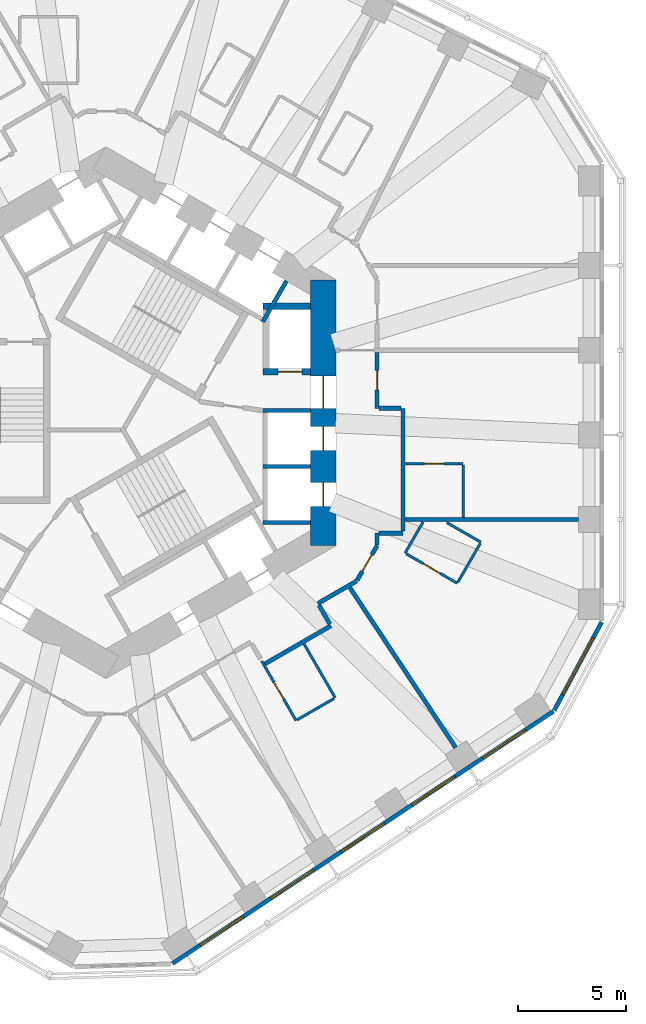
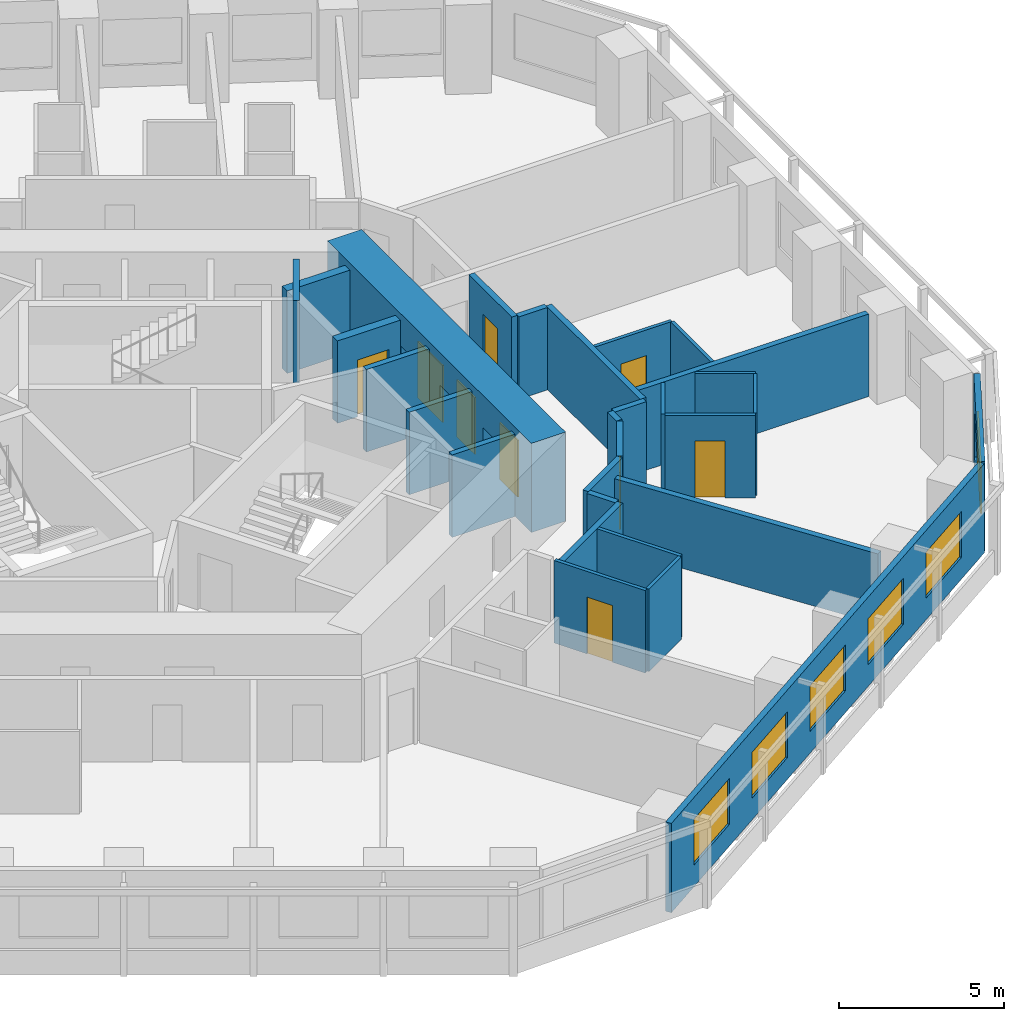
# One storey, part 6 of 12: 29 walls, 9 doors, 6 windows, 15 openings.
"""IFC4 building model written with IfcOpenShell, lengths in metres."""

from ifc_helpers import new_model, si_unit, direction, frame, frame_2d, origin, place, context, subcontext, project, spatial, rectangle, extrude, material, layer, layer_set, type_object, element, fill, save


model = new_model("IFC4")

# Units and contexts
model_context = context("Model", 3, precision=1e-05, world=origin(), true_north=direction((0.0, 1.0)))
body_context = subcontext(model_context, "Body", "Model", "MODEL_VIEW")
ifc_project = project(units=[si_unit("LENGTHUNIT", "METRE"), si_unit("AREAUNIT", "SQUARE_METRE"), si_unit("VOLUMEUNIT", "CUBIC_METRE"), si_unit("PLANEANGLEUNIT", "RADIAN"), si_unit("MASSUNIT", "GRAM", prefix="KILO")], contexts=[model_context])

# Site, building, storey
site_placement = place(None, origin())
site = spatial("IfcSite", under=ifc_project, at=site_placement, CompositionType="ELEMENT")
building_placement = place(site_placement, origin())
building = spatial("IfcBuilding", under=site, at=building_placement, Name="Vanh Sen Convention Tower", CompositionType="ELEMENT")
storey_placement = place(building_placement, frame((0.0, 0.0, 67.10009765625)))
storey = spatial("IfcBuildingStorey", under=building, at=storey_placement, Name="L14", CompositionType="ELEMENT", Elevation=67.10009765625)

# Wall, opening, door
ifc_material_1 = material(Name="Moisture-resistant gypsum board on steel studs", Category="steel")
ifc_layer_1 = layer(ifc_material_1, 0.1201171875)
ifc_layer_set_1 = layer_set([ifc_layer_1], Name="Moisture-resistant gypsum board on steel studs")
wall_type_1 = type_object("IfcWallType", Name="Bathroom partition 120", PredefinedType="PARTITIONING", material=ifc_layer_set_1)
wall_1_placement = place(storey_placement, frame((8.83251953125, -14.300537109375, 0.0), z_axis=(0.0, 0.0, 1.0), x_axis=(-0.499936836718, 0.866061868051, 0.0)))
wall_1 = element("IfcWall", 1, at=wall_1_placement, inside=storey, type_object=wall_type_1, Name="Bathroom partition 120", PredefinedType="PARTITIONING", context=body_context, shape_type="SweptSolid", body=[
    extrude(rectangle(XDim=3.1875, YDim=0.1201171875, at=frame_2d((1.59375, 0.0))), origin(), (0.0, 0.0, 1.0), 3.0498046875),
])
opening_1_placement = place(wall_1_placement, frame((1.143798828125, 0.0, 0.0)))
opening_1 = element("IfcOpeningElement", 2, at=opening_1_placement, cuts=wall_1, Name="Opening D13131", PredefinedType="OPENING", context=body_context, shape_type="SweptSolid", body=[
    extrude(rectangle(XDim=0.89990234375, YDim=2.10009765625, at=frame_2d((0.449951171875, 1.050048828125))), frame((0.0, 0.070068359375, 0.0), z_axis=(0.0, -1.0, 0.0), x_axis=(1.0, 0.0, 0.0)), (0.0, 0.0, 1.0), 0.14013671875),
])
ifc_material_2 = material(Name="Laminate door in steel frame", Category="steel")
door_type_1 = type_object("IfcDoorType", Name="En-suite door 900", OperationType="SINGLE_SWING_LEFT", PredefinedType="DOOR", material=ifc_material_2)
door_1_placement = place(opening_1_placement, origin())
door_1 = element("IfcDoor", 3, at=door_1_placement, inside=storey, type_object=door_type_1, Name="En-suite door D13131", OperationType="SINGLE_SWING_LEFT", OverallHeight=2.10009765625, OverallWidth=0.89990234375, PredefinedType="DOOR", context=body_context, shape_type="SweptSolid", body=[
    extrude(rectangle(XDim=0.89990234375, YDim=2.10009765625, at=frame_2d((0.449951171875, 1.050048828125))), frame((0.0, 0.02490234375, 0.0), z_axis=(0.0, -1.0, 0.0), x_axis=(1.0, 0.0, 0.0)), (0.0, 0.0, 1.0), 0.050048828125),
])
fill(opening_1, door_1)

# Walls
wall_2_placement = place(storey_placement, frame((9.202880859375, -10.738037109375, 0.0), z_axis=(0.0, 0.0, 1.0), x_axis=(0.50005036918, -0.865996321171, 0.0)))
element("IfcWall", 4, at=wall_2_placement, inside=storey, type_object=wall_type_1, Name="Bathroom partition 120", PredefinedType="PARTITIONING", context=body_context, shape_type="SweptSolid", body=[
    extrude(rectangle(XDim=2.900146484375, YDim=0.1201171875, at=frame_2d((1.4501953125, 0.0))), origin(), (0.0, 0.0, 1.0), 3.0498046875),
])
wall_3_placement = place(storey_placement, frame((10.60107421875, -13.279541015625, 0.0), z_axis=(0.0, 0.0, 1.0), x_axis=(-0.866044057189, -0.499967689963, 0.0)))
element("IfcWall", 5, at=wall_3_placement, inside=storey, type_object=wall_type_1, Name="Bathroom partition 120", PredefinedType="PARTITIONING", context=body_context, shape_type="SweptSolid", body=[
    extrude(rectangle(XDim=1.982177734375, YDim=0.1201171875, at=frame_2d((0.9912109375, 0.0))), origin(), (0.0, 0.0, 1.0), 3.0498046875),
])
wall_4_placement = place(storey_placement, frame((13.90087890625, -6.5244140625, 0.0), z_axis=(0.0, 0.0, 1.0), x_axis=(0.499964162598, 0.86604609353, 0.0)))
element("IfcWall", 6, at=wall_4_placement, inside=storey, type_object=wall_type_1, Name="Bathroom partition 120", PredefinedType="PARTITIONING", context=body_context, shape_type="SweptSolid", body=[
    extrude(rectangle(XDim=1.6611328125, YDim=0.1201171875, at=frame_2d((0.83056640625, 0.0))), origin(), (0.0, 0.0, 1.0), 3.0498046875),
])

# Wall, opening, door
wall_5_placement = place(storey_placement, frame((13.90087890625, -2.364501953125, 0.0), z_axis=(0.0, 0.0, 1.0), x_axis=(1.0, 0.0, 0.0)))
wall_5 = element("IfcWall", 7, at=wall_5_placement, inside=storey, type_object=wall_type_1, Name="Bathroom partition 120", PredefinedType="PARTITIONING", context=body_context, shape_type="SweptSolid", body=[
    extrude(rectangle(XDim=2.7001953125, YDim=0.1201171875, at=frame_2d((1.35009765625, 0.0))), origin(), (0.0, 0.0, 1.0), 3.0498046875),
])
opening_2_placement = place(wall_5_placement, frame((0.89990234375, 0.0, 0.0)))
opening_2 = element("IfcOpeningElement", 8, at=opening_2_placement, cuts=wall_5, Name="Opening D13102", PredefinedType="OPENING", context=body_context, shape_type="SweptSolid", body=[
    extrude(rectangle(XDim=0.89990234375, YDim=2.10009765625, at=frame_2d((0.449951171875, 1.050048828125))), frame((0.0, 0.070068359375, 0.0), z_axis=(0.0, -1.0, 0.0), x_axis=(1.0, 0.0, 0.0)), (0.0, 0.0, 1.0), 0.14013671875),
])
door_2_placement = place(opening_2_placement, origin())
door_2 = element("IfcDoor", 9, at=door_2_placement, inside=storey, type_object=door_type_1, Name="En-suite door D13102", OperationType="SINGLE_SWING_LEFT", OverallHeight=2.10009765625, OverallWidth=0.89990234375, PredefinedType="DOOR", context=body_context, shape_type="SweptSolid", body=[
    extrude(rectangle(XDim=0.89990234375, YDim=2.10009765625, at=frame_2d((0.449951171875, 1.050048828125))), frame((0.0, 0.02490234375, 0.0), z_axis=(0.0, -1.0, 0.0), x_axis=(1.0, 0.0, 0.0)), (0.0, 0.0, 1.0), 0.050048828125),
])
fill(opening_2, door_2)

# Wall
wall_6_placement = place(storey_placement, frame((15.84130859375, -5.1044921875, 0.0), z_axis=(0.0, 0.0, 1.0), x_axis=(0.866025591402, -0.499999675036, 0.0)))
element("IfcWall", 10, at=wall_6_placement, inside=storey, type_object=wall_type_1, Name="Bathroom partition 120", PredefinedType="PARTITIONING", context=body_context, shape_type="SweptSolid", body=[
    extrude(rectangle(XDim=1.82958984375, YDim=0.1201171875, at=frame_2d((0.914794921875, 0.0))), origin(), (0.0, 0.0, 1.0), 3.0498046875),
])

# Wall, opening, door
wall_7_placement = place(storey_placement, frame((16.32568359375, -7.924560546875, 0.0), z_axis=(0.0, 0.0, 1.0), x_axis=(-0.865997131366, 0.500048966069, 0.0)))
wall_7 = element("IfcWall", 11, at=wall_7_placement, inside=storey, type_object=wall_type_1, Name="Bathroom partition 120", PredefinedType="PARTITIONING", context=body_context, shape_type="SweptSolid", body=[
    extrude(rectangle(XDim=2.739990234375, YDim=0.1201171875, at=frame_2d((1.3701171875, 0.0))), origin(), (0.0, 0.0, 1.0), 3.0498046875),
])
opening_3_placement = place(wall_7_placement, frame((0.919921875, 0.0, 0.0)))
opening_3 = element("IfcOpeningElement", 12, at=opening_3_placement, cuts=wall_7, Name="Opening D13133", PredefinedType="OPENING", context=body_context, shape_type="SweptSolid", body=[
    extrude(rectangle(XDim=0.89990234375, YDim=2.10009765625, at=frame_2d((0.449951171875, 1.050048828125))), frame((0.0, 0.070068359375, 0.0), z_axis=(0.0, -1.0, 0.0), x_axis=(1.0, 0.0, 0.0)), (0.0, 0.0, 1.0), 0.14013671875),
])
door_3_placement = place(opening_3_placement, origin())
door_3 = element("IfcDoor", 13, at=door_3_placement, inside=storey, type_object=door_type_1, Name="En-suite door D13133", OperationType="SINGLE_SWING_LEFT", OverallHeight=2.10009765625, OverallWidth=0.89990234375, PredefinedType="DOOR", context=body_context, shape_type="SweptSolid", body=[
    extrude(rectangle(XDim=0.89990234375, YDim=2.10009765625, at=frame_2d((0.449951171875, 1.050048828125))), frame((0.0, 0.02490234375, 0.0), z_axis=(0.0, -1.0, 0.0), x_axis=(1.0, 0.0, 0.0)), (0.0, 0.0, 1.0), 0.050048828125),
])
fill(opening_3, door_3)

# Walls
wall_8_placement = place(storey_placement, frame((16.60107421875, -2.424560546875, 0.0), z_axis=(0.0, 0.0, 1.0), x_axis=(0.0, -1.0, 0.0)))
element("IfcWall", 14, at=wall_8_placement, inside=storey, type_object=wall_type_1, Name="Bathroom partition 120", PredefinedType="PARTITIONING", context=body_context, shape_type="SweptSolid", body=[
    extrude(rectangle(XDim=2.43994140625, YDim=0.1201171875, at=frame_2d((1.219970703125, 0.0))), origin(), (0.0, 0.0, 1.0), 3.0498046875),
])
wall_9_placement = place(storey_placement, frame((17.395751953125, -6.0712890625, 0.0), z_axis=(0.0, 0.0, 1.0), x_axis=(-0.500027264788, -0.866009661879, 0.0)))
element("IfcWall", 15, at=wall_9_placement, inside=storey, type_object=wall_type_1, Name="Bathroom partition 120", PredefinedType="PARTITIONING", context=body_context, shape_type="SweptSolid", body=[
    extrude(rectangle(XDim=2.080078125, YDim=0.1201171875, at=frame_2d((1.0400390625, 0.0))), origin(), (0.0, 0.0, 1.0), 3.0498046875),
])

# Wall, openings, doors
ifc_material_3 = material(Name="Concrete C80/95", Category="concrete")
ifc_layer_2 = layer(ifc_material_3, 1.199951171875)
ifc_layer_set_2 = layer_set([ifc_layer_2], Name="Concrete C80/95")
wall_type_2 = type_object("IfcWallType", Name="Core outer wall 1200 C80/95", PredefinedType="SHEAR", material=ifc_layer_set_2)
wall_10_placement = place(storey_placement, frame((10.10009765625, -6.177490234375, 0.0), z_axis=(0.0, 0.0, 1.0), x_axis=(0.0, 1.0, 0.0)))
wall_10 = element("IfcWall", 16, at=wall_10_placement, inside=storey, type_object=wall_type_2, Name="Core wall face E L14", PredefinedType="SHEAR", context=body_context, shape_type="SweptSolid", body=[
    extrude(rectangle(XDim=12.35498046875, YDim=1.199951171875, at=frame_2d((6.177490234375, 0.0))), origin(), (0.0, 0.0, 1.0), 3.2998046875),
])
opening_4_placement = place(wall_10_placement, frame((6.377685546875, 0.0, 0.0)))
opening_4 = element("IfcOpeningElement", 17, at=opening_4_placement, cuts=wall_10, Name="Opening D13001", PredefinedType="OPENING", context=body_context, shape_type="SweptSolid", body=[
    extrude(rectangle(XDim=1.5, YDim=2.10009765625, at=frame_2d((0.75, 1.050048828125))), frame((0.0, 0.60986328125, 0.0), z_axis=(0.0, -1.0, 0.0), x_axis=(1.0, 0.0, 0.0)), (0.0, 0.0, 1.0), 1.219970703125),
])
opening_5_placement = place(wall_10_placement, frame((1.82763671875, 0.0, 0.0)))
opening_5 = element("IfcOpeningElement", 18, at=opening_5_placement, cuts=wall_10, Name="Opening LD-LR1", PredefinedType="OPENING", context=body_context, shape_type="SweptSolid", body=[
    extrude(rectangle(XDim=1.10009765625, YDim=2.10009765625, at=frame_2d((0.550048828125, 1.050048828125))), frame((0.0, 0.60986328125, 0.0), z_axis=(0.0, -1.0, 0.0), x_axis=(1.0, 0.0, 0.0)), (0.0, 0.0, 1.0), 1.219970703125),
])
opening_6_placement = place(wall_10_placement, frame((4.427490234375, 0.0, 0.0)))
opening_6 = element("IfcOpeningElement", 19, at=opening_6_placement, cuts=wall_10, Name="Opening LD-LR2", PredefinedType="OPENING", context=body_context, shape_type="SweptSolid", body=[
    extrude(rectangle(XDim=1.10009765625, YDim=2.10009765625, at=frame_2d((0.550048828125, 1.050048828125))), frame((0.0, 0.60986328125, 0.0), z_axis=(0.0, -1.0, 0.0), x_axis=(1.0, 0.0, 0.0)), (0.0, 0.0, 1.0), 1.219970703125),
])
ifc_material_4 = material(Name="Stainless steel", Category="steel")
door_type_2 = type_object("IfcDoorType", Name="Lift landing door 1100", OperationType="DOUBLE_DOOR_SLIDING", PredefinedType="DOOR", material=ifc_material_4)
door_4_placement = place(opening_5_placement, origin())
door_4 = element("IfcDoor", 20, at=door_4_placement, inside=storey, type_object=door_type_2, Name="Lift LR1 landing door LD-LR1", OperationType="DOUBLE_DOOR_SLIDING", OverallHeight=2.10009765625, OverallWidth=1.10009765625, PredefinedType="DOOR", context=body_context, shape_type="SweptSolid", body=[
    extrude(rectangle(XDim=1.10009765625, YDim=2.10009765625, at=frame_2d((0.550048828125, 1.050048828125))), frame((0.0, 0.02490234375, 0.0), z_axis=(0.0, -1.0, 0.0), x_axis=(1.0, 0.0, 0.0)), (0.0, 0.0, 1.0), 0.050048828125),
])
fill(opening_5, door_4)
door_5_placement = place(opening_6_placement, origin())
door_5 = element("IfcDoor", 21, at=door_5_placement, inside=storey, type_object=door_type_2, Name="Lift LR2 landing door LD-LR2", OperationType="DOUBLE_DOOR_SLIDING", OverallHeight=2.10009765625, OverallWidth=1.10009765625, PredefinedType="DOOR", context=body_context, shape_type="SweptSolid", body=[
    extrude(rectangle(XDim=1.10009765625, YDim=2.10009765625, at=frame_2d((0.550048828125, 1.050048828125))), frame((0.0, 0.02490234375, 0.0), z_axis=(0.0, -1.0, 0.0), x_axis=(1.0, 0.0, 0.0)), (0.0, 0.0, 1.0), 0.050048828125),
])
fill(opening_6, door_5)
ifc_material_5 = material(Name="Steel S355", Category="steel")
door_type_3 = type_object("IfcDoorType", Name="Stair lobby door 1500", OperationType="DOUBLE_DOOR_SINGLE_SWING", PredefinedType="DOOR", material=ifc_material_5)
door_6_placement = place(opening_4_placement, origin())
door_6 = element("IfcDoor", 22, at=door_6_placement, inside=storey, type_object=door_type_3, Name="Stair lobby door D13001", OperationType="DOUBLE_DOOR_SINGLE_SWING", OverallHeight=2.10009765625, OverallWidth=1.5, PredefinedType="DOOR", context=body_context, shape_type="SweptSolid", body=[
    extrude(rectangle(XDim=1.5, YDim=2.10009765625, at=frame_2d((0.75, 1.050048828125))), frame((0.0, 0.02490234375, 0.0), z_axis=(0.0, -1.0, 0.0), x_axis=(1.0, 0.0, 0.0)), (0.0, 0.0, 1.0), 0.050048828125),
])
fill(opening_4, door_6)

# Walls
ifc_material_6 = material(Name="Gypsum board on steel studs with mineral wool", Category="steel")
ifc_layer_3 = layer(ifc_material_6, 0.199951171875)
ifc_layer_set_3 = layer_set([ifc_layer_3], Name="Gypsum board on steel studs with mineral wool")
wall_type_3 = type_object("IfcWallType", Name="Corridor partition wall 200", PredefinedType="PARTITIONING", material=ifc_layer_set_3)
wall_11_placement = place(storey_placement, frame((7.384521484375, -11.672607421875, 0.0), z_axis=(0.0, 0.0, 1.0), x_axis=(0.866037524642, 0.499979005472, 0.0)))
element("IfcWall", 23, at=wall_11_placement, inside=storey, type_object=wall_type_3, Name="Corridor partition wall 200", PredefinedType="PARTITIONING", context=body_context, shape_type="SweptSolid", body=[
    extrude(rectangle(XDim=3.542236328125, YDim=0.199951171875, at=frame_2d((1.77099609375, 0.0))), origin(), (0.0, 0.0, 1.0), 3.0498046875),
])
wall_12_placement = place(storey_placement, frame((9.8515625, -8.861328125, 0.0), z_axis=(0.0, 0.0, 1.0), x_axis=(0.866013291437, 0.500020978615, 0.0)))
element("IfcWall", 24, at=wall_12_placement, inside=storey, type_object=wall_type_3, Name="Corridor partition wall 200", PredefinedType="PARTITIONING", context=body_context, shape_type="SweptSolid", body=[
    extrude(rectangle(XDim=2.07666015625, YDim=0.199951171875, at=frame_2d((1.038330078125, 0.0))), origin(), (0.0, 0.0, 1.0), 3.0498046875),
])
wall_13_placement = place(storey_placement, frame((10.402099609375, -9.81494140625, 0.0), z_axis=(0.0, 0.0, 1.0), x_axis=(-0.499968756647, 0.866043441391, 0.0)))
element("IfcWall", 25, at=wall_13_placement, inside=storey, type_object=wall_type_3, Name="Corridor partition wall 200", PredefinedType="PARTITIONING", context=body_context, shape_type="SweptSolid", body=[
    extrude(rectangle(XDim=1.0009765625, YDim=0.199951171875, at=frame_2d((0.50048828125, 0.0))), origin(), (0.0, 0.0, 1.0), 3.0498046875),
])

# Wall, opening, door
wall_14_placement = place(storey_placement, frame((11.669921875, -7.788330078125, 0.0), z_axis=(0.0, 0.0, 1.0), x_axis=(0.500063286585, 0.865988862174, 0.0)))
wall_14 = element("IfcWall", 26, at=wall_14_placement, inside=storey, type_object=wall_type_3, Name="Corridor partition wall 200", PredefinedType="PARTITIONING", context=body_context, shape_type="SweptSolid", body=[
    extrude(rectangle(XDim=1.860107421875, YDim=0.199951171875, at=frame_2d((0.93017578125, 0.0))), origin(), (0.0, 0.0, 1.0), 3.0498046875),
])
opening_7_placement = place(wall_14_placement, frame((0.47998046875, 0.0, 0.0)))
opening_7 = element("IfcOpeningElement", 27, at=opening_7_placement, cuts=wall_14, Name="Opening D13132", PredefinedType="OPENING", context=body_context, shape_type="SweptSolid", body=[
    extrude(rectangle(XDim=0.89990234375, YDim=2.10009765625, at=frame_2d((0.449951171875, 1.050048828125))), frame((0.0, 0.10986328125, 0.0), z_axis=(0.0, -1.0, 0.0), x_axis=(1.0, 0.0, 0.0)), (0.0, 0.0, 1.0), 0.219970703125),
])
ifc_material_7 = material(Name="Timber fire door in steel frame", Category="steel")
door_type_4 = type_object("IfcDoorType", Name="Guest room door 900", OperationType="SINGLE_SWING_LEFT", PredefinedType="DOOR", material=ifc_material_7)
door_7_placement = place(opening_7_placement, origin())
door_7 = element("IfcDoor", 28, at=door_7_placement, inside=storey, type_object=door_type_4, Name="Hotel guest room door D13132", OperationType="SINGLE_SWING_LEFT", OverallHeight=2.10009765625, OverallWidth=0.89990234375, PredefinedType="DOOR", context=body_context, shape_type="SweptSolid", body=[
    extrude(rectangle(XDim=0.89990234375, YDim=2.10009765625, at=frame_2d((0.449951171875, 1.050048828125))), frame((0.0, 0.02490234375, 0.0), z_axis=(0.0, -1.0, 0.0), x_axis=(1.0, 0.0, 0.0)), (0.0, 0.0, 1.0), 0.050048828125),
])
fill(opening_7, door_7)

# Wall
wall_15_placement = place(storey_placement, frame((12.60009765625, -6.1376953125, 0.0), z_axis=(0.0, 0.0, 1.0), x_axis=(0.0, 1.0, 0.0)))
element("IfcWall", 29, at=wall_15_placement, inside=storey, type_object=wall_type_3, Name="Corridor partition wall 200", PredefinedType="PARTITIONING", context=body_context, shape_type="SweptSolid", body=[
    extrude(rectangle(XDim=0.53662109375, YDim=0.199951171875, at=frame_2d((0.268310546875, 0.0))), origin(), (0.0, 0.0, 1.0), 3.0498046875),
])

# Wall, opening, door
wall_16_placement = place(storey_placement, frame((12.60009765625, 0.200927734375, 0.0), z_axis=(0.0, 0.0, 1.0), x_axis=(0.0, 1.0, 0.0)))
wall_16 = element("IfcWall", 30, at=wall_16_placement, inside=storey, type_object=wall_type_3, Name="Corridor partition wall 200", PredefinedType="PARTITIONING", context=body_context, shape_type="SweptSolid", body=[
    extrude(rectangle(XDim=2.603515625, YDim=0.199951171875, at=frame_2d((1.3017578125, 0.0))), origin(), (0.0, 0.0, 1.0), 3.0498046875),
])
opening_8_placement = place(wall_16_placement, frame((0.851806640625, 0.0, 0.0)))
opening_8 = element("IfcOpeningElement", 31, at=opening_8_placement, cuts=wall_16, Name="Opening D13101", PredefinedType="OPENING", context=body_context, shape_type="SweptSolid", body=[
    extrude(rectangle(XDim=0.89990234375, YDim=2.10009765625, at=frame_2d((0.449951171875, 1.050048828125))), frame((0.0, 0.10986328125, 0.0), z_axis=(0.0, -1.0, 0.0), x_axis=(1.0, 0.0, 0.0)), (0.0, 0.0, 1.0), 0.219970703125),
])
door_8_placement = place(opening_8_placement, origin())
door_8 = element("IfcDoor", 32, at=door_8_placement, inside=storey, type_object=door_type_4, Name="Hotel guest room door D13101", OperationType="SINGLE_SWING_LEFT", OverallHeight=2.10009765625, OverallWidth=0.89990234375, PredefinedType="DOOR", context=body_context, shape_type="SweptSolid", body=[
    extrude(rectangle(XDim=0.89990234375, YDim=2.10009765625, at=frame_2d((0.449951171875, 1.050048828125))), frame((0.0, 0.02490234375, 0.0), z_axis=(0.0, -1.0, 0.0), x_axis=(1.0, 0.0, 0.0)), (0.0, 0.0, 1.0), 0.050048828125),
])
fill(opening_8, door_8)

# Walls
wall_17_placement = place(storey_placement, frame((12.699951171875, -5.60107421875, 0.0), z_axis=(0.0, 0.0, 1.0), x_axis=(1.0, 0.0, 0.0)))
element("IfcWall", 33, at=wall_17_placement, inside=storey, type_object=wall_type_3, Name="Corridor partition wall 200", PredefinedType="PARTITIONING", context=body_context, shape_type="SweptSolid", body=[
    extrude(rectangle(XDim=1.10107421875, YDim=0.199951171875, at=frame_2d((0.550537109375, 0.0))), origin(), (0.0, 0.0, 1.0), 3.0498046875),
])
wall_18_placement = place(storey_placement, frame((13.700927734375, 0.200927734375, 0.0), z_axis=(0.0, 0.0, 1.0), x_axis=(-1.0, 0.0, 0.0)))
element("IfcWall", 34, at=wall_18_placement, inside=storey, type_object=wall_type_3, Name="Corridor partition wall 200", PredefinedType="PARTITIONING", context=body_context, shape_type="SweptSolid", body=[
    extrude(rectangle(XDim=1.0009765625, YDim=0.199951171875, at=frame_2d((0.50048828125, 0.0))), origin(), (0.0, 0.0, 1.0), 3.0498046875),
])
wall_19_placement = place(storey_placement, frame((13.801025390625, -5.5009765625, 0.0), z_axis=(0.0, 0.0, 1.0), x_axis=(0.0, 1.0, 0.0)))
element("IfcWall", 35, at=wall_19_placement, inside=storey, type_object=wall_type_3, Name="Corridor partition wall 200", PredefinedType="PARTITIONING", context=body_context, shape_type="SweptSolid", body=[
    extrude(rectangle(XDim=5.701904296875, YDim=0.199951171875, at=frame_2d((2.85107421875, 0.0))), origin(), (0.0, 0.0, 1.0), 3.0498046875),
])

# Wall, openings, windows
ifc_material_8 = material(Name="Insulated lightweight infill wall")
ifc_layer_4 = layer(ifc_material_8, 0.199951171875)
ifc_layer_set_4 = layer_set([ifc_layer_4], Name="Insulated lightweight infill wall")
wall_type_4 = type_object("IfcWallType", Name="External wall 200", PredefinedType="STANDARD", material=ifc_layer_set_4)
wall_20_placement = place(storey_placement, frame((3.0830078125, -25.60107421875, 0.0), z_axis=(0.0, 0.0, 1.0), x_axis=(0.833884295743, 0.551939291329, 0.0)))
wall_20 = element("IfcWall", 36, at=wall_20_placement, inside=storey, type_object=wall_type_4, Name="External wall SE L14", PredefinedType="STANDARD", context=body_context, shape_type="SweptSolid", body=[
    extrude(rectangle(XDim=21.24609375, YDim=0.199951171875, at=frame_2d((10.623046875, 0.0))), origin(), (0.0, 0.0, 1.0), 3.2998046875),
])
opening_9_placement = place(wall_20_placement, frame((1.552978515625, 0.0, 0.800048828125)))
opening_9 = element("IfcOpeningElement", 37, at=opening_9_placement, cuts=wall_20, Name="Opening WH1-SE1", PredefinedType="OPENING", context=body_context, shape_type="SweptSolid", body=[
    extrude(rectangle(XDim=2.39990234375, YDim=1.699951171875, at=frame_2d((1.199951171875, 0.85009765625))), frame((0.0, 0.10986328125, 0.0), z_axis=(0.0, -1.0, 0.0), x_axis=(1.0, 0.0, 0.0)), (0.0, 0.0, 1.0), 0.219970703125),
])
opening_10_placement = place(wall_20_placement, frame((5.487548828125, 0.0, 0.800048828125)))
opening_10 = element("IfcOpeningElement", 38, at=opening_10_placement, cuts=wall_20, Name="Opening WH1-SE2", PredefinedType="OPENING", context=body_context, shape_type="SweptSolid", body=[
    extrude(rectangle(XDim=2.39990234375, YDim=1.699951171875, at=frame_2d((1.199951171875, 0.85009765625))), frame((0.0, 0.10986328125, 0.0), z_axis=(0.0, -1.0, 0.0), x_axis=(1.0, 0.0, 0.0)), (0.0, 0.0, 1.0), 0.219970703125),
])
opening_11_placement = place(wall_20_placement, frame((9.422119140625, 0.0, 0.800048828125)))
opening_11 = element("IfcOpeningElement", 39, at=opening_11_placement, cuts=wall_20, Name="Opening WH1-SE3", PredefinedType="OPENING", context=body_context, shape_type="SweptSolid", body=[
    extrude(rectangle(XDim=2.39990234375, YDim=1.699951171875, at=frame_2d((1.199951171875, 0.85009765625))), frame((0.0, 0.10986328125, 0.0), z_axis=(0.0, -1.0, 0.0), x_axis=(1.0, 0.0, 0.0)), (0.0, 0.0, 1.0), 0.219970703125),
])
opening_12_placement = place(wall_20_placement, frame((13.356689453125, 0.0, 0.800048828125)))
opening_12 = element("IfcOpeningElement", 40, at=opening_12_placement, cuts=wall_20, Name="Opening WH1-SE4", PredefinedType="OPENING", context=body_context, shape_type="SweptSolid", body=[
    extrude(rectangle(XDim=2.39990234375, YDim=1.699951171875, at=frame_2d((1.199951171875, 0.85009765625))), frame((0.0, 0.10986328125, 0.0), z_axis=(0.0, -1.0, 0.0), x_axis=(1.0, 0.0, 0.0)), (0.0, 0.0, 1.0), 0.219970703125),
])
opening_13_placement = place(wall_20_placement, frame((17.291259765625, 0.0, 0.800048828125)))
opening_13 = element("IfcOpeningElement", 41, at=opening_13_placement, cuts=wall_20, Name="Opening WH1-SE5", PredefinedType="OPENING", context=body_context, shape_type="SweptSolid", body=[
    extrude(rectangle(XDim=2.39990234375, YDim=1.699951171875, at=frame_2d((1.199951171875, 0.85009765625))), frame((0.0, 0.10986328125, 0.0), z_axis=(0.0, -1.0, 0.0), x_axis=(1.0, 0.0, 0.0)), (0.0, 0.0, 1.0), 0.219970703125),
])
ifc_material_9 = material(Name="Aluminium frame with clear low-emissivity glass", Category="aluminium")
window_type_1 = type_object("IfcWindowType", Name="Hotel window 2400 x 1700", PartitioningType="SINGLE_PANEL", PredefinedType="WINDOW", material=ifc_material_9)
window_1_placement = place(opening_9_placement, origin())
window_1 = element("IfcWindow", 42, at=window_1_placement, inside=storey, type_object=window_type_1, Name="Window WH1-SE1", OverallHeight=1.699951171875, OverallWidth=2.39990234375, PartitioningType="SINGLE_PANEL", PredefinedType="WINDOW", context=body_context, shape_type="SweptSolid", body=[
    extrude(rectangle(XDim=2.39990234375, YDim=1.699951171875, at=frame_2d((1.199951171875, 0.85009765625))), frame((0.0, 0.030029296875, 0.0), z_axis=(0.0, -1.0, 0.0), x_axis=(1.0, 0.0, 0.0)), (0.0, 0.0, 1.0), 0.06005859375),
])
fill(opening_9, window_1)
window_2_placement = place(opening_10_placement, origin())
window_2 = element("IfcWindow", 43, at=window_2_placement, inside=storey, type_object=window_type_1, Name="Window WH1-SE2", OverallHeight=1.699951171875, OverallWidth=2.39990234375, PartitioningType="SINGLE_PANEL", PredefinedType="WINDOW", context=body_context, shape_type="SweptSolid", body=[
    extrude(rectangle(XDim=2.39990234375, YDim=1.699951171875, at=frame_2d((1.199951171875, 0.85009765625))), frame((0.0, 0.030029296875, 0.0), z_axis=(0.0, -1.0, 0.0), x_axis=(1.0, 0.0, 0.0)), (0.0, 0.0, 1.0), 0.06005859375),
])
fill(opening_10, window_2)
window_3_placement = place(opening_11_placement, origin())
window_3 = element("IfcWindow", 44, at=window_3_placement, inside=storey, type_object=window_type_1, Name="Window WH1-SE3", OverallHeight=1.699951171875, OverallWidth=2.39990234375, PartitioningType="SINGLE_PANEL", PredefinedType="WINDOW", context=body_context, shape_type="SweptSolid", body=[
    extrude(rectangle(XDim=2.39990234375, YDim=1.699951171875, at=frame_2d((1.199951171875, 0.85009765625))), frame((0.0, 0.030029296875, 0.0), z_axis=(0.0, -1.0, 0.0), x_axis=(1.0, 0.0, 0.0)), (0.0, 0.0, 1.0), 0.06005859375),
])
fill(opening_11, window_3)
window_4_placement = place(opening_12_placement, origin())
window_4 = element("IfcWindow", 45, at=window_4_placement, inside=storey, type_object=window_type_1, Name="Window WH1-SE4", OverallHeight=1.699951171875, OverallWidth=2.39990234375, PartitioningType="SINGLE_PANEL", PredefinedType="WINDOW", context=body_context, shape_type="SweptSolid", body=[
    extrude(rectangle(XDim=2.39990234375, YDim=1.699951171875, at=frame_2d((1.199951171875, 0.85009765625))), frame((0.0, 0.030029296875, 0.0), z_axis=(0.0, -1.0, 0.0), x_axis=(1.0, 0.0, 0.0)), (0.0, 0.0, 1.0), 0.06005859375),
])
fill(opening_12, window_4)
window_5_placement = place(opening_13_placement, origin())
window_5 = element("IfcWindow", 46, at=window_5_placement, inside=storey, type_object=window_type_1, Name="Window WH1-SE5", OverallHeight=1.699951171875, OverallWidth=2.39990234375, PartitioningType="SINGLE_PANEL", PredefinedType="WINDOW", context=body_context, shape_type="SweptSolid", body=[
    extrude(rectangle(XDim=2.39990234375, YDim=1.699951171875, at=frame_2d((1.199951171875, 0.85009765625))), frame((0.0, 0.030029296875, 0.0), z_axis=(0.0, -1.0, 0.0), x_axis=(1.0, 0.0, 0.0)), (0.0, 0.0, 1.0), 0.06005859375),
])
fill(opening_13, window_5)

# Wall, opening, window
wall_21_placement = place(storey_placement, frame((20.83251953125, -13.838623046875, 0.0), z_axis=(0.0, 0.0, 1.0), x_axis=(0.473321668581, 0.880889662813, 0.0)))
wall_21 = element("IfcWall", 47, at=wall_21_placement, inside=storey, type_object=wall_type_4, Name="External wall CH6 L14", PredefinedType="STANDARD", context=body_context, shape_type="SweptSolid", body=[
    extrude(rectangle(XDim=4.65966796875, YDim=0.199951171875, at=frame_2d((2.329833984375, 0.0))), origin(), (0.0, 0.0, 1.0), 3.2998046875),
])
opening_14_placement = place(wall_21_placement, frame((0.829833984375, 0.0, 0.800048828125)))
opening_14 = element("IfcOpeningElement", 48, at=opening_14_placement, cuts=wall_21, Name="Opening WH2-CH61", PredefinedType="OPENING", context=body_context, shape_type="SweptSolid", body=[
    extrude(rectangle(XDim=3.0, YDim=1.699951171875, at=frame_2d((1.5, 0.85009765625))), frame((0.0, 0.10986328125, 0.0), z_axis=(0.0, -1.0, 0.0), x_axis=(1.0, 0.0, 0.0)), (0.0, 0.0, 1.0), 0.219970703125),
])
window_type_2 = type_object("IfcWindowType", Name="Hotel window 3000 x 1700", PartitioningType="SINGLE_PANEL", PredefinedType="WINDOW", material=ifc_material_9)
window_6_placement = place(opening_14_placement, origin())
window_6 = element("IfcWindow", 49, at=window_6_placement, inside=storey, type_object=window_type_2, Name="Window WH2-CH61", OverallHeight=1.699951171875, OverallWidth=3.0, PartitioningType="SINGLE_PANEL", PredefinedType="WINDOW", context=body_context, shape_type="SweptSolid", body=[
    extrude(rectangle(XDim=3.0, YDim=1.699951171875, at=frame_2d((1.5, 0.85009765625))), frame((0.0, 0.030029296875, 0.0), z_axis=(0.0, -1.0, 0.0), x_axis=(1.0, 0.0, 0.0)), (0.0, 0.0, 1.0), 0.06005859375),
])
fill(opening_14, window_6)

# Wall, opening, door
ifc_material_10 = material(Name="Concrete C60/75", Category="concrete")
ifc_layer_5 = layer(ifc_material_10, 0.300048828125)
ifc_layer_set_5 = layer_set([ifc_layer_5], Name="Concrete C60/75")
wall_type_5 = type_object("IfcWallType", Name="Fire-fighting lift shaft wall 300", PredefinedType="SHEAR", material=ifc_layer_set_5)
wall_22_placement = place(storey_placement, frame((7.300048828125, 1.89990234375, 0.0), z_axis=(0.0, 0.0, 1.0), x_axis=(1.0, 0.0, 0.0)))
wall_22 = element("IfcWall", 50, at=wall_22_placement, inside=storey, type_object=wall_type_5, Name="Fire-fighting lift shaft wall L14", PredefinedType="SHEAR", context=body_context, shape_type="SweptSolid", body=[
    extrude(rectangle(XDim=2.199951171875, YDim=0.300048828125, at=frame_2d((1.10009765625, 0.0))), origin(), (0.0, 0.0, 1.0), 3.0498046875),
])
opening_15_placement = place(wall_22_placement, frame((0.699951171875, 0.0, 0.0)))
opening_15 = element("IfcOpeningElement", 51, at=opening_15_placement, cuts=wall_22, Name="Opening LD-FF1", PredefinedType="OPENING", context=body_context, shape_type="SweptSolid", body=[
    extrude(rectangle(XDim=1.10009765625, YDim=2.10009765625, at=frame_2d((0.550048828125, 1.050048828125))), frame((0.0, 0.159912109375, 0.0), z_axis=(0.0, -1.0, 0.0), x_axis=(1.0, 0.0, 0.0)), (0.0, 0.0, 1.0), 0.320068359375),
])
door_type_5 = type_object("IfcDoorType", Name="Fire-fighting lift landing door 1100", OperationType="DOUBLE_DOOR_SLIDING", PredefinedType="DOOR", material=ifc_material_4)
door_9_placement = place(opening_15_placement, origin())
door_9 = element("IfcDoor", 52, at=door_9_placement, inside=storey, type_object=door_type_5, Name="Lift FF1 landing door LD-FF1", OperationType="DOUBLE_DOOR_SLIDING", OverallHeight=2.10009765625, OverallWidth=1.10009765625, PredefinedType="DOOR", context=body_context, shape_type="SweptSolid", body=[
    extrude(rectangle(XDim=1.10009765625, YDim=2.10009765625, at=frame_2d((0.550048828125, 1.050048828125))), frame((0.0, 0.02490234375, 0.0), z_axis=(0.0, -1.0, 0.0), x_axis=(1.0, 0.0, 0.0)), (0.0, 0.0, 1.0), 0.050048828125),
])
fill(opening_15, door_9)

# Walls
wall_23_placement = place(storey_placement, frame((7.300048828125, 4.949951171875, 0.0), z_axis=(0.0, 0.0, 1.0), x_axis=(1.0, 0.0, 0.0)))
element("IfcWall", 53, at=wall_23_placement, inside=storey, type_object=wall_type_5, Name="Fire-fighting lift shaft wall L14", PredefinedType="SHEAR", context=body_context, shape_type="SweptSolid", body=[
    extrude(rectangle(XDim=2.199951171875, YDim=0.300048828125, at=frame_2d((1.10009765625, 0.0))), origin(), (0.0, 0.0, 1.0), 3.0498046875),
])
ifc_layer_6 = layer(ifc_material_6, 0.199951171875)
ifc_layer_set_6 = layer_set([ifc_layer_6], Name="Gypsum board on steel studs with mineral wool")
wall_type_6 = type_object("IfcWallType", Name="Hotel party wall 200", PredefinedType="PARTITIONING", material=ifc_layer_set_6)
wall_24_placement = place(storey_placement, frame((13.90087890625, -4.964599609375, 0.0), z_axis=(0.0, 0.0, 1.0), x_axis=(1.0, 0.0, 0.0)))
element("IfcWall", 54, at=wall_24_placement, inside=storey, type_object=wall_type_6, Name="Hotel party wall 200", PredefinedType="PARTITIONING", context=body_context, shape_type="SweptSolid", body=[
    extrude(rectangle(XDim=8.049072265625, YDim=0.199951171875, at=frame_2d((4.0244140625, 0.0))), origin(), (0.0, 0.0, 1.0), 3.0498046875),
])
wall_25_placement = place(storey_placement, frame((16.2548828125, -15.563720703125, 0.0), z_axis=(0.0, 0.0, 1.0), x_axis=(-0.55192208744, 0.833895682562, 0.0)))
element("IfcWall", 55, at=wall_25_placement, inside=storey, type_object=wall_type_6, Name="Hotel party wall 200", PredefinedType="PARTITIONING", context=body_context, shape_type="SweptSolid", body=[
    extrude(rectangle(XDim=8.912841796875, YDim=0.199951171875, at=frame_2d((4.45654296875, 0.0))), origin(), (0.0, 0.0, 1.0), 2.599853515625),
])
ifc_material_11 = material(Name="Concrete C40/50", Category="concrete")
ifc_layer_7 = layer(ifc_material_11, 0.199951171875)
ifc_layer_set_7 = layer_set([ifc_layer_7], Name="Concrete C40/50")
wall_type_7 = type_object("IfcWallType", Name="Lift shaft wall 200", PredefinedType="PARTITIONING", material=ifc_layer_set_7)
for number, where, z_axis, x_axis, name in (
    (56, (7.300048828125, -5.10009765625, 0.0), (0.0, 0.0, 1.0), (1.0, 0.0, 0.0), "Lift shaft wall L14"),
    (57, (7.300048828125, -2.5, 0.0), (0.0, 0.0, 1.0), (1.0, 0.0, 0.0), "Lift shaft wall L14"),
    (58, (7.300048828125, 0.10009765625, 0.0), (0.0, 0.0, 1.0), (1.0, 0.0, 0.0), "Lift shaft wall L14"),
    (59, (7.287353515625, 4.221923828125, 0.0), (0.0, 0.0, 1.0), (0.499946605688, 0.86605622881, 0.0), "Lift shaft wall L14"),
):
    element("IfcWall", number, at=place(storey_placement, frame(where, z_axis=z_axis, x_axis=x_axis)), inside=storey, type_object=wall_type_7, Name=name, PredefinedType="PARTITIONING", context=body_context, shape_type="SweptSolid", body=[
        extrude(rectangle(XDim=2.199951171875, YDim=0.199951171875, at=frame_2d((1.10009765625, 0.0))), origin(), (0.0, 0.0, 1.0), 3.0498046875),
    ])

save(model, "model.ifc")
